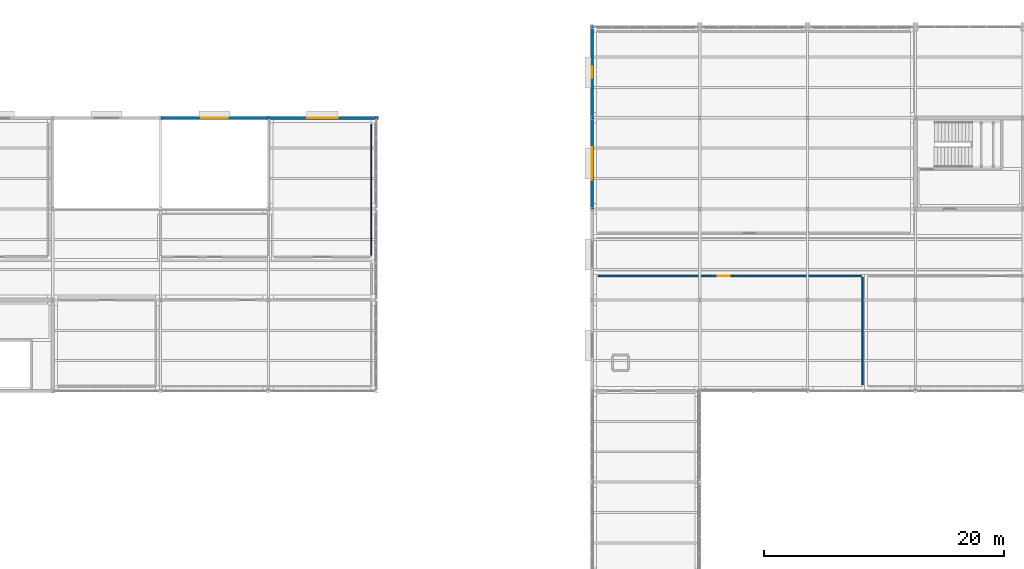
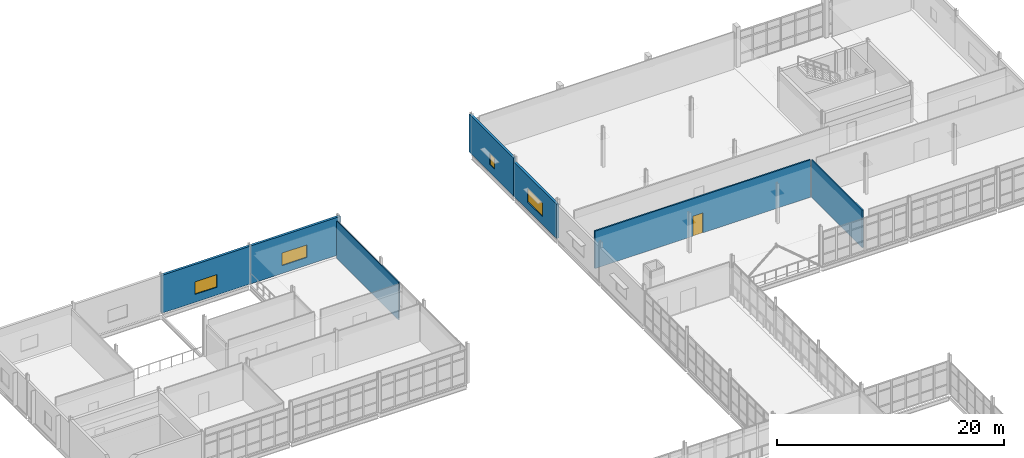
# One storey, part 159 of 174: 7 walls, 4 windows, 1 door, 5 openings.
"""IFC4 building model written with IfcOpenShell, lengths in metres."""

import ifcopenshell
import ifcopenshell.guid

model = None  # the IFC model being written
_history = None  # IfcOwnerHistory: only IFC2X3 demands one
_inside = {}  # id of a spatial element -> (the spatial element, [elements in it])
_under = {}  # id of a project, library or spatial element -> (it, [spatial elements below it])
_declared = {}  # id of a project -> (the project, [libraries it declares])
_typed = {}  # id of a type object -> (the type object, [elements of that type])
_made_of = {}  # id of a material, layer set ... -> (it, [elements and type objects made of it])


def new_model(schema):
    """Start an empty IFC model of exactly this schema.

    Asked for "IFC4X3", IfcOpenShell would pick the latest addendum, in which some entities
    have other attributes; the version numbers below select the first issue.
    IFC2X3 requires an IfcOwnerHistory on every rooted entity: one is made here for all.
    """
    global model, _history
    if schema == "IFC4X3":
        model = ifcopenshell.file(schema_version=(4, 3, 0, 0))
    else:
        model = ifcopenshell.file(schema=schema)
    _inside.clear()
    _under.clear()
    _declared.clear()
    _typed.clear()
    _made_of.clear()
    _history = None
    if model.schema == "IFC2X3":
        org = make("IfcOrganization", Name="unknown")
        user = make(
            "IfcPersonAndOrganization",
            ThePerson=make("IfcPerson", FamilyName="unknown"),
            TheOrganization=org,
        )
        app = make(
            "IfcApplication",
            ApplicationDeveloper=org,
            Version="unknown",
            ApplicationFullName="unknown",
            ApplicationIdentifier="unknown",
        )
        _history = make(
            "IfcOwnerHistory",
            OwningUser=user,
            OwningApplication=app,
            ChangeAction="ADDED",
            CreationDate=0,
        )
    return model


def make(cls, **values):
    """One entity of the class cls with the attributes given. An attribute that is None is left unset."""
    return model.create_entity(
        cls, **{name: value for name, value in values.items() if value is not None}
    )


def rooted(cls, **values):
    """An entity with a GlobalId (a new one), such as an element, a storey or a relation."""
    return make(cls, GlobalId=ifcopenshell.guid.new(), OwnerHistory=_history, **values)


def si_unit(unit_type, name, prefix=None):
    """IfcSIUnit, for example si_unit("LENGTHUNIT", "METRE", prefix="MILLI")."""
    return make("IfcSIUnit", UnitType=unit_type, Prefix=prefix, Name=name)


def assignment(units):
    """IfcUnitAssignment: the units of a project."""
    return None if units is None else make("IfcUnitAssignment", Units=units)


def point(xyz):
    """IfcCartesianPoint."""
    return None if xyz is None else make("IfcCartesianPoint", Coordinates=xyz)


def direction(xyz):
    """IfcDirection."""
    return None if xyz is None else make("IfcDirection", DirectionRatios=xyz)


def frame(location, z_axis=None, x_axis=None):
    """IfcAxis2Placement3D, a coordinate frame: its origin and axes. An axis left out is left unset."""
    return make(
        "IfcAxis2Placement3D",
        Location=point(location),
        Axis=direction(z_axis),
        RefDirection=direction(x_axis),
    )


def frame_2d(location, x_axis=None):
    """IfcAxis2Placement2D, a coordinate frame in the plane: its origin and x axis."""
    return make(
        "IfcAxis2Placement2D", Location=point(location), RefDirection=direction(x_axis)
    )


def origin():
    """The frame at (0, 0, 0) with its axes left unset."""
    return frame((0.0, 0.0, 0.0))


def place(relative_to, where):
    """IfcLocalPlacement: puts the frame where relative to a parent placement (None: the world)."""
    return make(
        "IfcLocalPlacement", PlacementRelTo=relative_to, RelativePlacement=where
    )


def context(
    kind, dimensions, precision=None, world=None, true_north=None, identifier=None
):
    """IfcGeometricRepresentationContext, for example the 3D "Model" context."""
    return make(
        "IfcGeometricRepresentationContext",
        ContextIdentifier=identifier,
        ContextType=kind,
        CoordinateSpaceDimension=dimensions,
        Precision=precision,
        WorldCoordinateSystem=world,
        TrueNorth=true_north,
    )


def subcontext(parent, identifier, kind, view, scale=None):
    """IfcGeometricRepresentationSubContext, for example "Body" below "Model"."""
    return make(
        "IfcGeometricRepresentationSubContext",
        ContextIdentifier=identifier,
        ContextType=kind,
        ParentContext=parent,
        TargetScale=scale,
        TargetView=view,
    )


def project(units=None, contexts=None):
    """IfcProject with its units and contexts."""
    return rooted(
        "IfcProject",
        Name="project",
        RepresentationContexts=contexts,
        UnitsInContext=assignment(units),
    )


def spatial(cls, under=None, at=None, **own):
    """A site, building, storey or space (cls), placed at a placement, below another one or the project."""
    s = rooted(cls, ObjectPlacement=at, **own)
    if under is not None:
        _under.setdefault(under.id(), (under, []))[1].append(s)
    return s


def profile(cls, at=None, kind="AREA", **sizes):
    """A parametric profile (cls). Its sizes go by their IFC names, for example OverallWidth=200.0."""
    return make(cls, ProfileType=kind, Position=at, **sizes)


def rectangle(**sizes):
    """IfcRectangleProfileDef."""
    return profile("IfcRectangleProfileDef", **sizes)


def extrude(swept, where, along, depth):
    """IfcExtrudedAreaSolid: the profile swept, set in the frame where, extruded along a direction by depth."""
    return make(
        "IfcExtrudedAreaSolid",
        SweptArea=swept,
        Position=where,
        ExtrudedDirection=direction(along),
        Depth=depth,
    )


def shape(context_of_items, identifier, shape_type, items):
    """IfcShapeRepresentation: the items that make up one representation, for example the "Body"."""
    return make(
        "IfcShapeRepresentation",
        ContextOfItems=context_of_items,
        RepresentationIdentifier=identifier,
        RepresentationType=shape_type,
        Items=items,
    )


def material(Name=None, Category=None):
    """IfcMaterial."""
    return make("IfcMaterial", Name=Name, Category=Category)


def layer(
    of_material, thickness, ventilated=None, Name=None, Category=None, Priority=None
):
    """IfcMaterialLayer: one layer of a wall or slab, of a material (None: an air gap)."""
    return make(
        "IfcMaterialLayer",
        Material=of_material,
        LayerThickness=thickness,
        IsVentilated=ventilated,
        Name=Name,
        Category=Category,
        Priority=Priority,
    )


def layer_set(layers, Name=None):
    """IfcMaterialLayerSet."""
    return make("IfcMaterialLayerSet", MaterialLayers=layers, LayerSetName=Name)


def made_of(thing, what):
    """Note that an element or type object is made of a material, layer set ...; save() writes the relation."""
    if what is not None:
        _made_of.setdefault(what.id(), (what, []))[1].append(thing)
    return thing


def type_object(cls, material=None, **own):
    """A type object (cls), such as IfcWallType, which elements share."""
    return made_of(rooted(cls, **own), material)


def element(
    cls,
    number,
    at=None,
    inside=None,
    cuts=None,
    type_object=None,
    material=None,
    context=None,
    identifier="Body",
    shape_type=None,
    held_by="IfcProductDefinitionShape",
    body=None,
    shapes=None,
    **own,
):
    """One element of the class cls, such as IfcWall. Its Tag is "e" and its number.

    at: its placement. inside: the storey or other place that contains it. cuts: it is an
    opening in that element (IfcRelVoidsElement). A single representation is given by context,
    identifier, shape_type and body (its items); several are given by shapes. held_by: the class
    of the entity that holds the representations. save() writes the other relations.
    """
    e = rooted(cls, Tag="e%d" % number, ObjectPlacement=at, **own)
    if body is not None:
        shapes = [shape(context, identifier, shape_type, body)]
    if shapes is not None:
        e.Representation = make(held_by, Representations=shapes)
    if inside is not None:
        _inside.setdefault(inside.id(), (inside, []))[1].append(e)
    if cuts is not None:
        rooted(
            "IfcRelVoidsElement", RelatingBuildingElement=cuts, RelatedOpeningElement=e
        )
    if type_object is not None:
        _typed.setdefault(type_object.id(), (type_object, []))[1].append(e)
    return made_of(e, material)


def fill(opening, filler):
    """IfcRelFillsElement: the door or window that sits in an opening."""
    return rooted(
        "IfcRelFillsElement",
        RelatingOpeningElement=opening,
        RelatedBuildingElement=filler,
    )


def aggregate(whole, parts):
    """IfcRelAggregates: a whole, such as a stair, and the parts it consists of."""
    return rooted("IfcRelAggregates", RelatingObject=whole, RelatedObjects=parts)


def save(model, path):
    """Write the relations noted so far, then the file.

    IfcRelAggregates (storeys below a building ...), IfcRelContainedInSpatialStructure (elements
    in a storey), IfcRelDefinesByType, IfcRelAssociatesMaterial and IfcRelDeclares: one each for
    every whole, place, type object, material and project.
    """
    for whole, parts in _under.values():
        aggregate(whole, parts)
    for where, things in _inside.values():
        rooted(
            "IfcRelContainedInSpatialStructure",
            RelatedElements=things,
            RelatingStructure=where,
        )
    for kind, things in _typed.values():
        rooted("IfcRelDefinesByType", RelatedObjects=things, RelatingType=kind)
    for what, things in _made_of.values():
        rooted("IfcRelAssociatesMaterial", RelatedObjects=things, RelatingMaterial=what)
    for by, libraries in _declared.values():
        rooted("IfcRelDeclares", RelatingContext=by, RelatedDefinitions=libraries)
    model.write(path)


model = new_model("IFC4")

# Units and contexts
model_context = context("Model", 3, precision=1e-05, world=origin(), true_north=direction((0.0, 1.0)))
body_context = subcontext(model_context, "Body", "Model", "MODEL_VIEW")
ifc_project = project(units=[si_unit("LENGTHUNIT", "METRE"), si_unit("AREAUNIT", "SQUARE_METRE"), si_unit("VOLUMEUNIT", "CUBIC_METRE"), si_unit("PLANEANGLEUNIT", "RADIAN"), si_unit("MASSUNIT", "GRAM", prefix="KILO")], contexts=[model_context])

# Site, building, storey
site_placement = place(None, origin())
site = spatial("IfcSite", under=ifc_project, at=site_placement, CompositionType="ELEMENT")
building_placement = place(site_placement, origin())
building = spatial("IfcBuilding", under=site, at=building_placement, Name="Caisbarro Railhouse Central Library", CompositionType="ELEMENT")
storey_placement = place(building_placement, frame((0.0, 0.0, 5.0400390625)))
storey = spatial("IfcBuildingStorey", under=building, at=storey_placement, Name="L01", CompositionType="ELEMENT", Elevation=5.0400390625)

# Wall, opening, window
ifc_material_1 = material(Name="Concrete C35 insulated architectural precast", Category="concrete")
ifc_layer_1 = layer(ifc_material_1, 0.239990234375, Name="Concrete C35 insulated architectural precast")
ifc_layer_set_1 = layer_set([ifc_layer_1], Name="Concrete C35 insulated architectural precast")
wall_type_1 = type_object("IfcWallType", Name="WAL-EW24", PredefinedType="STANDARD", material=ifc_layer_set_1)
wall_1_placement = place(storey_placement, frame((18.0, 106.39990234375, 0.0), z_axis=(0.0, 0.0, 1.0), x_axis=(1.0, 0.0, 0.0)))
wall_1 = element("IfcWall", 1, at=wall_1_placement, inside=storey, type_object=wall_type_1, Name="EW24 exterior wall L01 #151", PredefinedType="STANDARD", context=body_context, shape_type="SweptSolid", body=[
    extrude(rectangle(XDim=9.0, YDim=0.239990234375, at=frame_2d((4.5, 0.0))), origin(), (0.0, 0.0, 1.0), 4.080078125),
])
opening_1_placement = place(wall_1_placement, frame((3.375, 0.0, 0.85009765625)))
opening_1 = element("IfcOpeningElement", 2, at=opening_1_placement, cuts=wall_1, Name="Opening W17", PredefinedType="OPENING", context=body_context, shape_type="SweptSolid", body=[
    extrude(rectangle(XDim=2.25, YDim=1.35009765625, at=frame_2d((1.125, 0.675048828125))), frame((0.0, 0.1298828125, 0.0), z_axis=(0.0, -1.0, 0.0), x_axis=(1.0, 0.0, 0.0)), (0.0, 0.0, 1.0), 0.260009765625),
])
ifc_material_2 = material(Name="Double low-e laminated solar-control glass", Category="glass")
window_type_1 = type_object("IfcWindowType", Name="WIN-W17", PartitioningType="SINGLE_PANEL", PredefinedType="WINDOW", material=ifc_material_2)
window_1_placement = place(opening_1_placement, origin())
window_1 = element("IfcWindow", 3, at=window_1_placement, inside=storey, type_object=window_type_1, Name="W17 window L01-060", OverallHeight=1.35009765625, OverallWidth=2.25, PartitioningType="SINGLE_PANEL", PredefinedType="WINDOW", context=body_context, shape_type="SweptSolid", body=[
    extrude(rectangle(XDim=2.25, YDim=1.35009765625, at=frame_2d((1.125, 0.675048828125))), frame((0.0, 0.030029296875, 0.0), z_axis=(0.0, -1.0, 0.0), x_axis=(1.0, 0.0, 0.0)), (0.0, 0.0, 1.0), 0.06005859375),
])
fill(opening_1, window_1)

wall_2_placement = place(storey_placement, frame((27.0, 106.39990234375, 0.0), z_axis=(0.0, 0.0, 1.0), x_axis=(1.0, 0.0, 0.0)))
wall_2 = element("IfcWall", 4, at=wall_2_placement, inside=storey, type_object=wall_type_1, Name="EW24 exterior wall L01 #152", PredefinedType="STANDARD", context=body_context, shape_type="SweptSolid", body=[
    extrude(rectangle(XDim=9.2099609375, YDim=0.239990234375, at=frame_2d((4.60498046875, 0.0))), origin(), (0.0, 0.0, 1.0), 4.080078125),
])
opening_2_placement = place(wall_2_placement, frame((3.22509765625, 0.0, 0.85009765625)))
opening_2 = element("IfcOpeningElement", 5, at=opening_2_placement, cuts=wall_2, Name="Opening W18", PredefinedType="OPENING", context=body_context, shape_type="SweptSolid", body=[
    extrude(rectangle(XDim=2.550048828125, YDim=1.35009765625, at=frame_2d((1.27490234375, 0.675048828125))), frame((0.0, 0.1298828125, 0.0), z_axis=(0.0, -1.0, 0.0), x_axis=(1.0, 0.0, 0.0)), (0.0, 0.0, 1.0), 0.260009765625),
])
window_type_2 = type_object("IfcWindowType", Name="WIN-W18", PartitioningType="SINGLE_PANEL", PredefinedType="WINDOW", material=ifc_material_2)
window_2_placement = place(opening_2_placement, origin())
window_2 = element("IfcWindow", 6, at=window_2_placement, inside=storey, type_object=window_type_2, Name="W18 window L01-061", OverallHeight=1.35009765625, OverallWidth=2.550048828125, PartitioningType="SINGLE_PANEL", PredefinedType="WINDOW", context=body_context, shape_type="SweptSolid", body=[
    extrude(rectangle(XDim=2.550048828125, YDim=1.35009765625, at=frame_2d((1.27490234375, 0.675048828125))), frame((0.0, 0.030029296875, 0.0), z_axis=(0.0, -1.0, 0.0), x_axis=(1.0, 0.0, 0.0)), (0.0, 0.0, 1.0), 0.06005859375),
])
fill(opening_2, window_2)

wall_3_placement = place(storey_placement, frame((54.0, 98.800048828125, 0.0), z_axis=(0.0, 0.0, 1.0), x_axis=(0.0, 1.0, 0.0)))
wall_3 = element("IfcWall", 7, at=wall_3_placement, inside=storey, type_object=wall_type_1, Name="EW24 exterior wall L01 #244", PredefinedType="STANDARD", context=body_context, shape_type="SweptSolid", body=[
    extrude(rectangle(XDim=7.599853515625, YDim=0.239990234375, at=frame_2d((3.7998046875, 0.0))), origin(), (0.0, 0.0, 1.0), 3.700927734375),
])
opening_3_placement = place(wall_3_placement, frame((2.449951171875, 0.0, 0.85009765625)))
opening_3 = element("IfcOpeningElement", 8, at=opening_3_placement, cuts=wall_3, Name="Opening W26", PredefinedType="OPENING", context=body_context, shape_type="SweptSolid", body=[
    extrude(rectangle(XDim=2.699951171875, YDim=1.5, at=frame_2d((1.35009765625, 0.75))), frame((0.0, 0.1298828125, 0.0), z_axis=(0.0, -1.0, 0.0), x_axis=(1.0, 0.0, 0.0)), (0.0, 0.0, 1.0), 0.260009765625),
])
window_type_3 = type_object("IfcWindowType", Name="WIN-W26", PartitioningType="SINGLE_PANEL", PredefinedType="WINDOW", material=ifc_material_2)
window_3_placement = place(opening_3_placement, origin())
window_3 = element("IfcWindow", 9, at=window_3_placement, inside=storey, type_object=window_type_3, Name="W26 window L01-092", OverallHeight=1.5, OverallWidth=2.699951171875, PartitioningType="SINGLE_PANEL", PredefinedType="WINDOW", context=body_context, shape_type="SweptSolid", body=[
    extrude(rectangle(XDim=2.699951171875, YDim=1.5, at=frame_2d((1.35009765625, 0.75))), frame((0.0, 0.030029296875, 0.0), z_axis=(0.0, -1.0, 0.0), x_axis=(1.0, 0.0, 0.0)), (0.0, 0.0, 1.0), 0.06005859375),
])
fill(opening_3, window_3)

wall_4_placement = place(storey_placement, frame((54.0, 106.39990234375, 0.0), z_axis=(0.0, 0.0, 1.0), x_axis=(0.0, 1.0, 0.0)))
wall_4 = element("IfcWall", 10, at=wall_4_placement, inside=storey, type_object=wall_type_1, Name="EW24 exterior wall L01 #246", PredefinedType="STANDARD", context=body_context, shape_type="SweptSolid", body=[
    extrude(rectangle(XDim=7.81005859375, YDim=0.239990234375, at=frame_2d((3.905029296875, 0.0))), origin(), (0.0, 0.0, 1.0), 4.080078125),
])
opening_4_placement = place(wall_4_placement, frame((3.35009765625, 0.0, 0.85009765625)))
opening_4 = element("IfcOpeningElement", 11, at=opening_4_placement, cuts=wall_4, Name="Opening W01", PredefinedType="OPENING", context=body_context, shape_type="SweptSolid", body=[
    extrude(rectangle(XDim=0.89990234375, YDim=1.199951171875, at=frame_2d((0.449951171875, 0.60009765625))), frame((0.0, 0.1298828125, 0.0), z_axis=(0.0, -1.0, 0.0), x_axis=(1.0, 0.0, 0.0)), (0.0, 0.0, 1.0), 0.260009765625),
])
window_type_4 = type_object("IfcWindowType", Name="WIN-W01", PartitioningType="SINGLE_PANEL", PredefinedType="WINDOW", material=ifc_material_2)
window_4_placement = place(opening_4_placement, origin())
window_4 = element("IfcWindow", 12, at=window_4_placement, inside=storey, type_object=window_type_4, Name="W01 window L01-094", OverallHeight=1.199951171875, OverallWidth=0.89990234375, PartitioningType="SINGLE_PANEL", PredefinedType="WINDOW", context=body_context, shape_type="SweptSolid", body=[
    extrude(rectangle(XDim=0.89990234375, YDim=1.199951171875, at=frame_2d((0.449951171875, 0.60009765625))), frame((0.0, 0.030029296875, 0.0), z_axis=(0.0, -1.0, 0.0), x_axis=(1.0, 0.0, 0.0)), (0.0, 0.0, 1.0), 0.06005859375),
])
fill(opening_4, window_4)

# Walls
ifc_material_3 = material(Name="Acoustic gypsum board on galvanised steel studs", Category="steel")
ifc_layer_2 = layer(ifc_material_3, 0.090087890625, Name="Acoustic gypsum board on galvanised steel studs")
ifc_layer_set_2 = layer_set([ifc_layer_2], Name="Acoustic gypsum board on galvanised steel studs")
wall_type_2 = type_object("IfcWallType", Name="WAL-IW09", PredefinedType="PARTITIONING", material=ifc_layer_set_2)
wall_5_placement = place(storey_placement, frame((35.60009765625, 94.919921875, 0.0), z_axis=(0.0, 0.0, 1.0), x_axis=(0.0, 1.0, 0.0)))
element("IfcWall", 13, at=wall_5_placement, inside=storey, type_object=wall_type_2, Name="IW09 partition wall L01 #423", PredefinedType="PARTITIONING", context=body_context, shape_type="SweptSolid", body=[
    extrude(rectangle(XDim=10.9599609375, YDim=0.090087890625, at=frame_2d((5.47998046875, 0.0))), origin(), (0.0, 0.0, 1.0), 4.0400390625),
])
ifc_layer_3 = layer(ifc_material_3, 0.1298828125, Name="Acoustic gypsum board on galvanised steel studs")
ifc_layer_set_3 = layer_set([ifc_layer_3], Name="Acoustic gypsum board on galvanised steel studs")
wall_type_3 = type_object("IfcWallType", Name="WAL-IW13", PredefinedType="PARTITIONING", material=ifc_layer_set_3)
wall_6_placement = place(storey_placement, frame((76.60009765625, 84.1201171875, 0.0), z_axis=(0.0, 0.0, 1.0), x_axis=(0.0, 1.0, 0.0)))
element("IfcWall", 14, at=wall_6_placement, inside=storey, type_object=wall_type_3, Name="IW13 partition wall L01 #425", PredefinedType="PARTITIONING", context=body_context, shape_type="SweptSolid", body=[
    extrude(rectangle(XDim=8.9599609375, YDim=0.1298828125, at=frame_2d((4.47998046875, 0.0))), origin(), (0.0, 0.0, 1.0), 4.0400390625),
])

# Wall, opening, door
ifc_layer_4 = layer(ifc_material_3, 0.14990234375, Name="Acoustic gypsum board on galvanised steel studs")
ifc_layer_set_4 = layer_set([ifc_layer_4], Name="Acoustic gypsum board on galvanised steel studs")
wall_type_4 = type_object("IfcWallType", Name="WAL-IW15", PredefinedType="PARTITIONING", material=ifc_layer_set_4)
wall_7_placement = place(storey_placement, frame((54.52001953125, 93.199951171875, 0.0), z_axis=(0.0, 0.0, 1.0), x_axis=(1.0, 0.0, 0.0)))
wall_7 = element("IfcWall", 15, at=wall_7_placement, inside=storey, type_object=wall_type_4, Name="IW15 partition wall L01 #424", PredefinedType="PARTITIONING", context=body_context, shape_type="SweptSolid", body=[
    extrude(rectangle(XDim=21.9599609375, YDim=0.14990234375, at=frame_2d((10.97998046875, 0.0))), origin(), (0.0, 0.0, 1.0), 4.0400390625),
])
opening_5_placement = place(wall_7_placement, frame((9.989990234375, 0.0, 0.0)))
opening_5 = element("IfcOpeningElement", 16, at=opening_5_placement, cuts=wall_7, Name="Opening FD05", PredefinedType="OPENING", context=body_context, shape_type="SweptSolid", body=[
    extrude(rectangle(XDim=1.0, YDim=2.14990234375, at=frame_2d((0.5, 1.074951171875))), frame((0.0, 0.0849609375, 0.0), z_axis=(0.0, -1.0, 0.0), x_axis=(1.0, 0.0, 0.0)), (0.0, 0.0, 1.0), 0.169921875),
])
ifc_material_4 = material(Name="Fire-rated painted galvanised steel", Category="steel")
door_type = type_object("IfcDoorType", Name="DR-FD05", OperationType="NOTDEFINED", PredefinedType="DOOR", material=ifc_material_4)
door_placement = place(opening_5_placement, origin())
door = element("IfcDoor", 17, at=door_placement, inside=storey, type_object=door_type, Name="Maker and Podcast Corridor L01 Door FD05 L01-270", OperationType="SINGLE_SWING_RIGHT", OverallHeight=2.14990234375, OverallWidth=1.0, PredefinedType="DOOR", context=body_context, shape_type="SweptSolid", body=[
    extrude(rectangle(XDim=1.0, YDim=2.14990234375, at=frame_2d((0.5, 1.074951171875))), frame((0.0, 0.02490234375, 0.0), z_axis=(0.0, -1.0, 0.0), x_axis=(1.0, 0.0, 0.0)), (0.0, 0.0, 1.0), 0.050048828125),
])
fill(opening_5, door)

save(model, "model.ifc")
